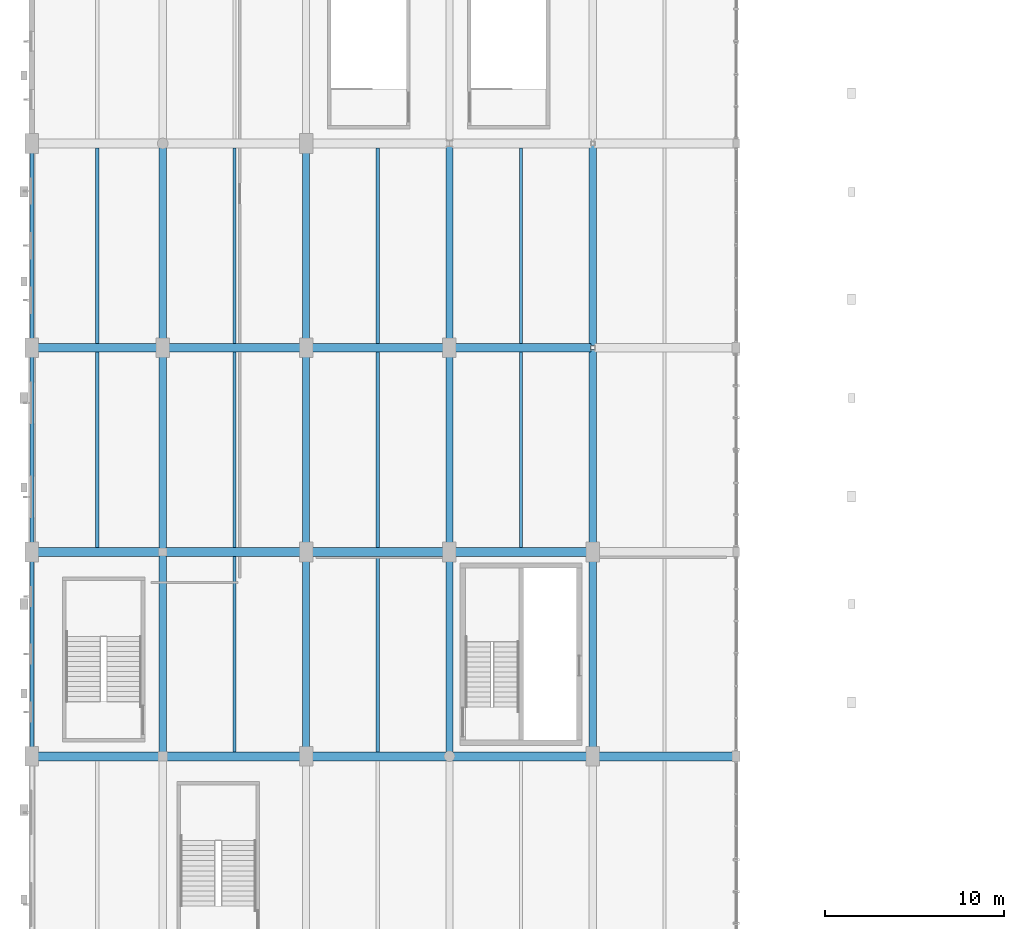
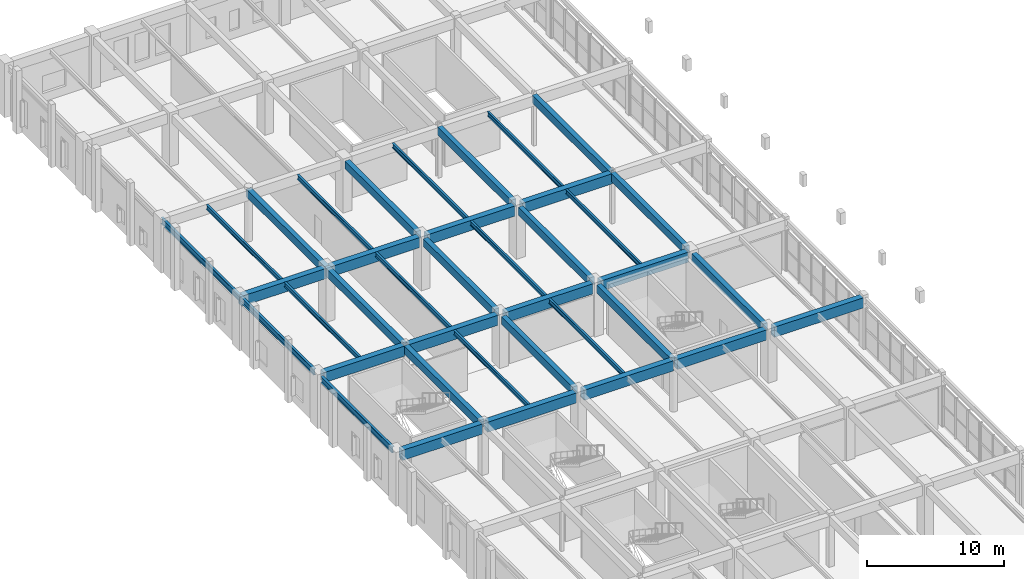
# One storey, part 24 of 106: 38 beams.
"""IFC4 building model written with IfcOpenShell, lengths in metres."""

from ifc_helpers import new_model, si_unit, direction, frame, origin, origin_2d, place, context, subcontext, project, spatial, rectangle, i_section, extrude, material, material_profile, profile_set, type_object, element, save


model = new_model("IFC4")

# Units and contexts
model_context = context("Model", 3, precision=1e-05, world=origin(), true_north=direction((0.0, 1.0)))
body_context = subcontext(model_context, "Body", "Model", "MODEL_VIEW")
ifc_project = project(units=[si_unit("LENGTHUNIT", "METRE"), si_unit("AREAUNIT", "SQUARE_METRE"), si_unit("VOLUMEUNIT", "CUBIC_METRE"), si_unit("PLANEANGLEUNIT", "RADIAN"), si_unit("MASSUNIT", "GRAM", prefix="KILO"), si_unit("POWERUNIT", "WATT"), si_unit("THERMODYNAMICTEMPERATUREUNIT", "KELVIN")], contexts=[model_context])

# Site, building, storey
site_placement = place(None, origin())
site = spatial("IfcSite", under=ifc_project, at=site_placement, CompositionType="ELEMENT")
building_placement = place(site_placement, origin())
building = spatial("IfcBuilding", under=site, at=building_placement, Name="Kelmbourne Parkland Aquatics Centre", CompositionType="ELEMENT")
storey_placement = place(building_placement, frame((0.0, 0.0, 5.39990234375)))
storey = spatial("IfcBuildingStorey", under=building, at=storey_placement, Name="L01", CompositionType="ELEMENT", Elevation=5.39990234375)

# Beams
ifc_material_1 = material(Name="Concrete C40/50", Category="concrete")
ifc_material_profile_1 = material_profile(ifc_material_1, rectangle(XDim=0.5, YDim=0.89990234375, at=origin_2d()), Name="RC 500x900")
ifc_profile_set_1 = profile_set([ifc_material_profile_1], Name="Concrete C40/50")
beam_type_1 = type_object("IfcBeamType", Name="BM-G03", PredefinedType="BEAM", material=ifc_profile_set_1)
beam_1_placement = place(storey_placement, frame((1.030029296875, 35.0, 4.110107421875), z_axis=(1.0, 0.0, 0.0), x_axis=(0.0, 1.0, 0.0)))
element("IfcBeam", 1, at=beam_1_placement, inside=storey, type_object=beam_type_1, Name="Primary girder A-B Grid 05 (L02)", PredefinedType="BEAM", context=body_context, shape_type="SweptSolid", body=[
    extrude(rectangle(XDim=0.5, YDim=0.89990234375, at=origin_2d()), origin(), (0.0, 0.0, 1.0), 6.739990234375),
])
beam_2_placement = place(storey_placement, frame((8.22998046875, 35.0, 4.110107421875), z_axis=(1.0, 0.0, 0.0), x_axis=(0.0, 1.0, 0.0)))
element("IfcBeam", 2, at=beam_2_placement, inside=storey, type_object=beam_type_1, Name="Primary girder B-C Grid 05 (L02)", PredefinedType="BEAM", context=body_context, shape_type="SweptSolid", body=[
    extrude(rectangle(XDim=0.5, YDim=0.89990234375, at=origin_2d()), origin(), (0.0, 0.0, 1.0), 7.43994140625),
])
for number, where, z_axis, x_axis, name in (
    (3, (16.330078125, 35.0, 4.110107421875), (1.0, 0.0, 0.0), (0.0, 1.0, 0.0), "Primary girder C-D Grid 05 (L02)"),
    (4, (24.1708984375, 35.0, 4.110107421875), (1.0, 0.0, 0.0), (0.0, 1.0, 0.0), "Primary girder D-E Grid 05 (L02)"),
):
    element("IfcBeam", number, at=place(storey_placement, frame(where, z_axis=z_axis, x_axis=x_axis)), inside=storey, type_object=beam_type_1, Name=name, PredefinedType="BEAM", context=body_context, shape_type="SweptSolid", body=[
        extrude(rectangle(XDim=0.5, YDim=0.89990234375, at=origin_2d()), origin(), (0.0, 0.0, 1.0), 7.4990234375),
    ])
beam_3_placement = place(storey_placement, frame((32.330078125, 35.0, 4.110107421875), z_axis=(1.0, 0.0, 0.0), x_axis=(0.0, 1.0, 0.0)))
element("IfcBeam", 5, at=beam_3_placement, inside=storey, type_object=beam_type_1, Name="Primary girder E-F Grid 05 (L02)", PredefinedType="BEAM", context=body_context, shape_type="SweptSolid", body=[
    extrude(rectangle(XDim=0.5, YDim=0.89990234375, at=origin_2d()), origin(), (0.0, 0.0, 1.0), 7.489990234375),
])
beam_4_placement = place(storey_placement, frame((1.030029296875, 46.39990234375, 4.110107421875), z_axis=(1.0, 0.0, 0.0), x_axis=(0.0, 1.0, 0.0)))
element("IfcBeam", 6, at=beam_4_placement, inside=storey, type_object=beam_type_1, Name="Primary girder A-B Grid 06 (L02)", PredefinedType="BEAM", context=body_context, shape_type="SweptSolid", body=[
    extrude(rectangle(XDim=0.5, YDim=0.89990234375, at=origin_2d()), origin(), (0.0, 0.0, 1.0), 6.7900390625),
])
beam_5_placement = place(storey_placement, frame((8.179931640625, 46.39990234375, 4.110107421875), z_axis=(1.0, 0.0, 0.0), x_axis=(0.0, 1.0, 0.0)))
element("IfcBeam", 7, at=beam_5_placement, inside=storey, type_object=beam_type_1, Name="Primary girder B-C Grid 06 (L02)", PredefinedType="BEAM", context=body_context, shape_type="SweptSolid", body=[
    extrude(rectangle(XDim=0.5, YDim=0.89990234375, at=origin_2d()), origin(), (0.0, 0.0, 1.0), 7.489990234375),
])
for number, where, z_axis, x_axis, name in (
    (8, (16.330078125, 46.39990234375, 4.110107421875), (1.0, 0.0, 0.0), (0.0, 1.0, 0.0), "Primary girder C-D Grid 06 (L02)"),
    (9, (24.330078125, 46.39990234375, 4.110107421875), (1.0, 0.0, 0.0), (0.0, 1.0, 0.0), "Primary girder D-E Grid 06 (L02)"),
):
    element("IfcBeam", number, at=place(storey_placement, frame(where, z_axis=z_axis, x_axis=x_axis)), inside=storey, type_object=beam_type_1, Name=name, PredefinedType="BEAM", context=body_context, shape_type="SweptSolid", body=[
        extrude(rectangle(XDim=0.5, YDim=0.89990234375, at=origin_2d()), origin(), (0.0, 0.0, 1.0), 7.33984375),
    ])
beam_6_placement = place(storey_placement, frame((0.699951171875, 57.800048828125, 4.110107421875), z_axis=(1.0, 0.0, 0.0), x_axis=(0.0, 1.0, 0.0)))
element("IfcBeam", 10, at=beam_6_placement, inside=storey, type_object=beam_type_1, Name="Primary girder A-B Grid 08 (L02)", PredefinedType="BEAM", context=body_context, shape_type="SweptSolid", body=[
    extrude(rectangle(XDim=0.5, YDim=0.89990234375, at=origin_2d()), origin(), (0.0, 0.0, 1.0), 7.300048828125),
])
beam_7_placement = place(storey_placement, frame((8.0, 57.800048828125, 4.110107421875), z_axis=(1.0, 0.0, 0.0), x_axis=(0.0, 1.0, 0.0)))
element("IfcBeam", 11, at=beam_7_placement, inside=storey, type_object=beam_type_1, Name="Primary girder B-C Grid 08 (L02)", PredefinedType="BEAM", context=body_context, shape_type="SweptSolid", body=[
    extrude(rectangle(XDim=0.5, YDim=0.89990234375, at=origin_2d()), origin(), (0.0, 0.0, 1.0), 7.669921875),
])
beam_8_placement = place(storey_placement, frame((16.330078125, 57.800048828125, 4.110107421875), z_axis=(1.0, 0.0, 0.0), x_axis=(0.0, 1.0, 0.0)))
element("IfcBeam", 12, at=beam_8_placement, inside=storey, type_object=beam_type_1, Name="Primary girder C-D Grid 08 (L02)", PredefinedType="BEAM", context=body_context, shape_type="SweptSolid", body=[
    extrude(rectangle(XDim=0.5, YDim=0.89990234375, at=origin_2d()), origin(), (0.0, 0.0, 1.0), 7.33984375),
])
beam_9_placement = place(storey_placement, frame((24.330078125, 57.800048828125, 4.110107421875), z_axis=(1.0, 0.0, 0.0), x_axis=(0.0, 1.0, 0.0)))
element("IfcBeam", 13, at=beam_9_placement, inside=storey, type_object=beam_type_1, Name="Primary girder D-E Grid 08 (L02)", PredefinedType="BEAM", context=body_context, shape_type="SweptSolid", body=[
    extrude(rectangle(XDim=0.5, YDim=0.89990234375, at=origin_2d()), origin(), (0.0, 0.0, 1.0), 7.56494140625),
])
ifc_material_profile_2 = material_profile(ifc_material_1, rectangle(XDim=0.39990234375, YDim=0.699951171875, at=origin_2d()), Name="RC 400x700")
ifc_profile_set_2 = profile_set([ifc_material_profile_2], Name="Concrete C40/50")
beam_type_2 = type_object("IfcBeamType", Name="BM-G05", PredefinedType="BEAM", material=ifc_profile_set_2)
beam_10_placement = place(storey_placement, frame((8.0, 35.22998046875, 4.210205078125), z_axis=(0.0, 1.0, 0.0), x_axis=(-1.0, 0.0, 0.0)))
element("IfcBeam", 14, at=beam_10_placement, inside=storey, type_object=beam_type_2, Name="Primary girder 05-06 Grid B (L02)", PredefinedType="BEAM", context=body_context, shape_type="SweptSolid", body=[
    extrude(rectangle(XDim=0.39990234375, YDim=0.699951171875, at=origin_2d()), origin(), (0.0, 0.0, 1.0), 10.989990234375),
])
beam_11_placement = place(storey_placement, frame((8.0, 46.580078125, 4.210205078125), z_axis=(0.0, 1.0, 0.0), x_axis=(-1.0, 0.0, 0.0)))
element("IfcBeam", 15, at=beam_11_placement, inside=storey, type_object=beam_type_2, Name="Primary girder 06-08 Grid B (L02)", PredefinedType="BEAM", context=body_context, shape_type="SweptSolid", body=[
    extrude(rectangle(XDim=0.39990234375, YDim=0.699951171875, at=origin_2d()), origin(), (0.0, 0.0, 1.0), 11.219970703125),
])
beam_12_placement = place(storey_placement, frame((8.0, 57.800048828125, 4.210205078125), z_axis=(0.0, 1.0, 0.0), x_axis=(-1.0, 0.0, 0.0)))
element("IfcBeam", 16, at=beam_12_placement, inside=storey, type_object=beam_type_2, Name="Primary girder 08-10 Grid B (L02)", PredefinedType="BEAM", context=body_context, shape_type="SweptSolid", body=[
    extrude(rectangle(XDim=0.39990234375, YDim=0.699951171875, at=origin_2d()), origin(), (0.0, 0.0, 1.0), 11.39990234375),
])
beam_13_placement = place(storey_placement, frame((16.0, 35.5048828125, 4.210205078125), z_axis=(0.0, 1.0, 0.0), x_axis=(-1.0, 0.0, 0.0)))
element("IfcBeam", 17, at=beam_13_placement, inside=storey, type_object=beam_type_2, Name="Primary girder 05-06 Grid C (L02)", PredefinedType="BEAM", context=body_context, shape_type="SweptSolid", body=[
    extrude(rectangle(XDim=0.39990234375, YDim=0.699951171875, at=origin_2d()), origin(), (0.0, 0.0, 1.0), 10.39013671875),
])
beam_14_placement = place(storey_placement, frame((16.0, 46.905029296875, 4.210205078125), z_axis=(0.0, 1.0, 0.0), x_axis=(-1.0, 0.0, 0.0)))
element("IfcBeam", 18, at=beam_14_placement, inside=storey, type_object=beam_type_2, Name="Primary girder 06-08 Grid C (L02)", PredefinedType="BEAM", context=body_context, shape_type="SweptSolid", body=[
    extrude(rectangle(XDim=0.39990234375, YDim=0.699951171875, at=origin_2d()), origin(), (0.0, 0.0, 1.0), 10.389892578125),
])
beam_15_placement = place(storey_placement, frame((16.0, 58.304931640625, 4.210205078125), z_axis=(0.0, 1.0, 0.0), x_axis=(-1.0, 0.0, 0.0)))
element("IfcBeam", 19, at=beam_15_placement, inside=storey, type_object=beam_type_2, Name="Primary girder 08-10 Grid C (L02)", PredefinedType="BEAM", context=body_context, shape_type="SweptSolid", body=[
    extrude(rectangle(XDim=0.39990234375, YDim=0.699951171875, at=origin_2d()), origin(), (0.0, 0.0, 1.0), 10.39013671875),
])
beam_16_placement = place(storey_placement, frame((24.0, 35.1708984375, 4.210205078125), z_axis=(0.0, 1.0, 0.0), x_axis=(-1.0, 0.0, 0.0)))
element("IfcBeam", 20, at=beam_16_placement, inside=storey, type_object=beam_type_2, Name="Primary girder 05-06 Grid D (L02)", PredefinedType="BEAM", context=body_context, shape_type="SweptSolid", body=[
    extrude(rectangle(XDim=0.39990234375, YDim=0.699951171875, at=origin_2d()), origin(), (0.0, 0.0, 1.0), 10.72412109375),
])
beam_17_placement = place(storey_placement, frame((24.0, 46.905029296875, 4.210205078125), z_axis=(0.0, 1.0, 0.0), x_axis=(-1.0, 0.0, 0.0)))
element("IfcBeam", 21, at=beam_17_placement, inside=storey, type_object=beam_type_2, Name="Primary girder 06-08 Grid D (L02)", PredefinedType="BEAM", context=body_context, shape_type="SweptSolid", body=[
    extrude(rectangle(XDim=0.39990234375, YDim=0.699951171875, at=origin_2d()), origin(), (0.0, 0.0, 1.0), 10.389892578125),
])
beam_18_placement = place(storey_placement, frame((24.0, 58.304931640625, 4.210205078125), z_axis=(0.0, 1.0, 0.0), x_axis=(-1.0, 0.0, 0.0)))
element("IfcBeam", 22, at=beam_18_placement, inside=storey, type_object=beam_type_2, Name="Primary girder 08-10 Grid D (L02)", PredefinedType="BEAM", context=body_context, shape_type="SweptSolid", body=[
    extrude(rectangle(XDim=0.39990234375, YDim=0.699951171875, at=origin_2d()), origin(), (0.0, 0.0, 1.0), 10.76416015625),
])
beam_19_placement = place(storey_placement, frame((32.0, 35.5048828125, 4.210205078125), z_axis=(0.0, 1.0, 0.0), x_axis=(-1.0, 0.0, 0.0)))
element("IfcBeam", 23, at=beam_19_placement, inside=storey, type_object=beam_type_2, Name="Primary girder 05-06 Grid E (L02)", PredefinedType="BEAM", context=body_context, shape_type="SweptSolid", body=[
    extrude(rectangle(XDim=0.39990234375, YDim=0.699951171875, at=origin_2d()), origin(), (0.0, 0.0, 1.0), 10.39013671875),
])
beam_20_placement = place(storey_placement, frame((32.0, 46.905029296875, 4.210205078125), z_axis=(0.0, 1.0, 0.0), x_axis=(-1.0, 0.0, 0.0)))
element("IfcBeam", 24, at=beam_20_placement, inside=storey, type_object=beam_type_2, Name="Primary girder 06-08 Grid E (L02)", PredefinedType="BEAM", context=body_context, shape_type="SweptSolid", body=[
    extrude(rectangle(XDim=0.39990234375, YDim=0.699951171875, at=origin_2d()), origin(), (0.0, 0.0, 1.0), 10.7900390625),
])
beam_21_placement = place(storey_placement, frame((32.0, 57.905029296875, 4.210205078125), z_axis=(0.0, 1.0, 0.0), x_axis=(-1.0, 0.0, 0.0)))
element("IfcBeam", 25, at=beam_21_placement, inside=storey, type_object=beam_type_2, Name="Primary girder 08-10 Grid E (L02)", PredefinedType="BEAM", context=body_context, shape_type="SweptSolid", body=[
    extrude(rectangle(XDim=0.39990234375, YDim=0.699951171875, at=origin_2d()), origin(), (0.0, 0.0, 1.0), 11.215087890625),
])
ifc_material_2 = material(Name="Structural steel AS/NZS 3679.1 Grade 300", Category="steel")
ifc_material_profile_3 = material_profile(ifc_material_2, i_section(OverallWidth=0.177978515625, OverallDepth=0.406005859375, WebThickness=0.0078125, FlangeThickness=0.0126953125, at=origin_2d()), Name="410UB59.7")
ifc_profile_set_3 = profile_set([ifc_material_profile_3], Name="Structural steel AS/NZS 3679.1 Grade 300")
beam_type_3 = type_object("IfcBeamType", Name="BM-J01", PredefinedType="JOIST", material=ifc_profile_set_3)
for number, where, z_axis, x_axis, name in (
    (26, (4.35009765625, 46.64208984375, 4.357177734375), (0.0, 1.0, 0.0), (-1.0, 0.0, 0.0), "Secondary floor joist A-B/06-08 #1 (L02)"),
    (27, (4.35009765625, 58.0419921875, 4.357177734375), (0.0, 1.0, 0.0), (-1.0, 0.0, 0.0), "Secondary floor joist A-B/08-10 #1 (L02)"),
    (28, (12.0, 35.241943359375, 4.357177734375), (0.0, 1.0, 0.0), (-1.0, 0.0, 0.0), "Secondary floor joist B-C/05-06 #1 (L02)"),
    (29, (12.0, 46.64208984375, 4.357177734375), (0.0, 1.0, 0.0), (-1.0, 0.0, 0.0), "Secondary floor joist B-C/06-08 #1 (L02)"),
    (30, (12.0, 58.0419921875, 4.357177734375), (0.0, 1.0, 0.0), (-1.0, 0.0, 0.0), "Secondary floor joist B-C/08-10 #1 (L02)"),
    (31, (20.0, 35.241943359375, 4.357177734375), (0.0, 1.0, 0.0), (-1.0, 0.0, 0.0), "Secondary floor joist C-D/05-06 #1 (L02)"),
    (32, (20.0, 46.64208984375, 4.357177734375), (0.0, 1.0, 0.0), (-1.0, 0.0, 0.0), "Secondary floor joist C-D/06-08 #1 (L02)"),
    (33, (20.0, 58.0419921875, 4.357177734375), (0.0, 1.0, 0.0), (-1.0, 0.0, 0.0), "Secondary floor joist C-D/08-10 #1 (L02)"),
    (34, (28.0, 46.64208984375, 4.357177734375), (0.0, 1.0, 0.0), (-1.0, 0.0, 0.0), "Secondary floor joist D-E/06-08 #1 (L02)"),
    (35, (28.0, 58.0419921875, 4.357177734375), (0.0, 1.0, 0.0), (-1.0, 0.0, 0.0), "Secondary floor joist D-E/08-10 #1 (L02)"),
):
    element("IfcBeam", number, at=place(storey_placement, frame(where, z_axis=z_axis, x_axis=x_axis)), inside=storey, type_object=beam_type_3, Name=name, PredefinedType="JOIST", context=body_context, shape_type="SweptSolid", body=[
        extrude(i_section(OverallWidth=0.177978515625, OverallDepth=0.406005859375, WebThickness=0.0078125, FlangeThickness=0.0126953125, at=origin_2d()), origin(), (0.0, 0.0, 1.0), 10.916015625),
    ])
ifc_material_profile_4 = material_profile(ifc_material_2, i_section(OverallWidth=0.208984375, OverallDepth=0.532958984375, WebThickness=0.01025390625, FlangeThickness=0.015625, at=origin_2d()), Name="530UB92.4")
ifc_profile_set_4 = profile_set([ifc_material_profile_4], Name="Structural steel AS/NZS 3679.1 Grade 300")
beam_type_4 = type_object("IfcBeamType", Name="BM-SP02", PredefinedType="SPANDREL", material=ifc_profile_set_4)
beam_22_placement = place(storey_placement, frame((0.699951171875, 35.5048828125, 4.293701171875), z_axis=(0.0, 1.0, 0.0), x_axis=(-1.0, 0.0, 0.0)))
element("IfcBeam", 36, at=beam_22_placement, inside=storey, type_object=beam_type_4, Name="Perimeter spandrel 05-06 Grid A (L02)", PredefinedType="SPANDREL", context=body_context, shape_type="SweptSolid", body=[
    extrude(i_section(OverallWidth=0.208984375, OverallDepth=0.532958984375, WebThickness=0.01025390625, FlangeThickness=0.015625, at=origin_2d()), origin(), (0.0, 0.0, 1.0), 10.39013671875),
])
beam_23_placement = place(storey_placement, frame((0.699951171875, 46.905029296875, 4.293701171875), z_axis=(0.0, 1.0, 0.0), x_axis=(-1.0, 0.0, 0.0)))
element("IfcBeam", 37, at=beam_23_placement, inside=storey, type_object=beam_type_4, Name="Perimeter spandrel 06-08 Grid A (L02)", PredefinedType="SPANDREL", context=body_context, shape_type="SweptSolid", body=[
    extrude(i_section(OverallWidth=0.208984375, OverallDepth=0.532958984375, WebThickness=0.01025390625, FlangeThickness=0.015625, at=origin_2d()), origin(), (0.0, 0.0, 1.0), 10.89501953125),
])
beam_24_placement = place(storey_placement, frame((0.699951171875, 57.800048828125, 4.293701171875), z_axis=(0.0, 1.0, 0.0), x_axis=(-1.0, 0.0, 0.0)))
element("IfcBeam", 38, at=beam_24_placement, inside=storey, type_object=beam_type_4, Name="Perimeter spandrel 08-10 Grid A (L02)", PredefinedType="SPANDREL", context=body_context, shape_type="SweptSolid", body=[
    extrude(i_section(OverallWidth=0.208984375, OverallDepth=0.532958984375, WebThickness=0.01025390625, FlangeThickness=0.015625, at=origin_2d()), origin(), (0.0, 0.0, 1.0), 11.39990234375),
])

save(model, "model.ifc")
